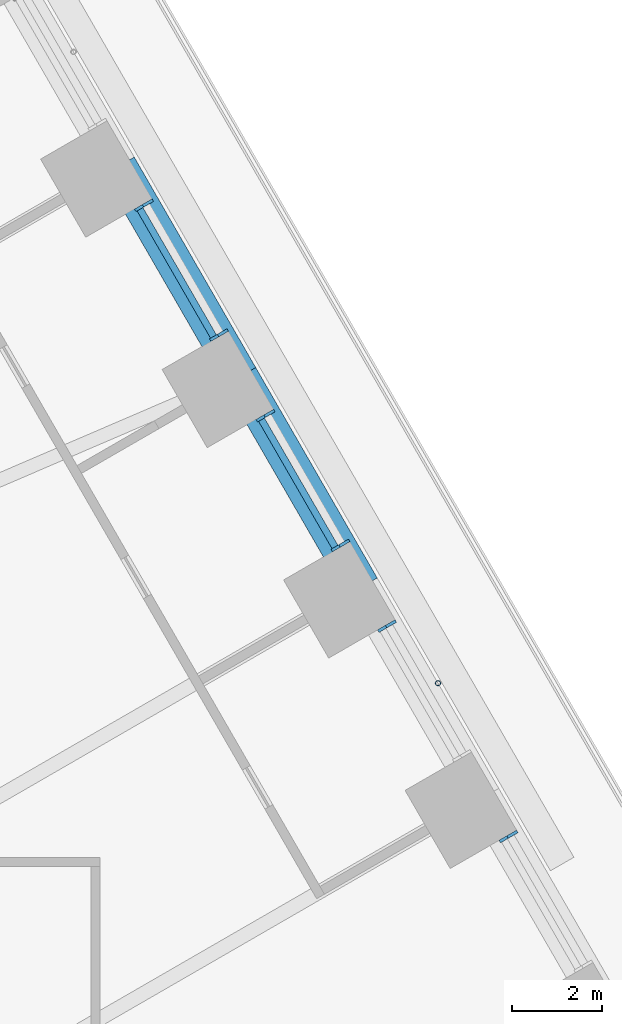
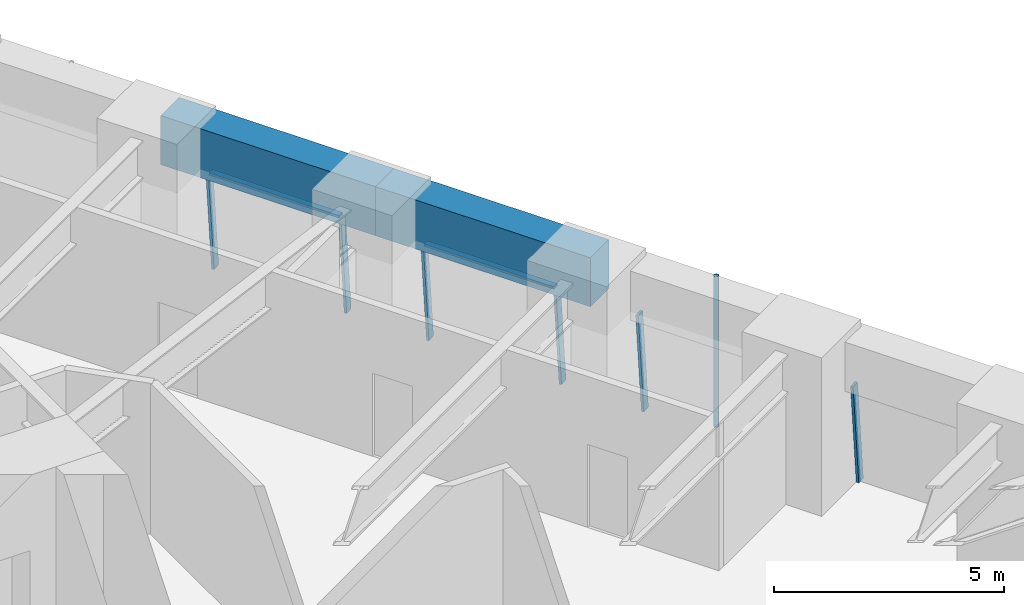
# One storey, part 13 of 24: 9 members, 2 beams, 4 elements without a shape of their own.
"""IFC4 building model written with IfcOpenShell, lengths in metres."""

from ifc_helpers import new_model, si_unit, direction, frame, origin, origin_2d, place, context, subcontext, project, spatial, rectangle, hollow_circle, extrude, material, material_profile, profile_set, type_object, element, aggregate, save


model = new_model("IFC4")

# Units and contexts
model_context = context("Model", 3, precision=1e-05, world=origin(), true_north=direction((0.0, 1.0)))
body_context = subcontext(model_context, "Body", "Model", "MODEL_VIEW")
ifc_project = project(units=[si_unit("LENGTHUNIT", "METRE"), si_unit("AREAUNIT", "SQUARE_METRE"), si_unit("VOLUMEUNIT", "CUBIC_METRE"), si_unit("PLANEANGLEUNIT", "RADIAN"), si_unit("MASSUNIT", "GRAM", prefix="KILO")], contexts=[model_context])

# Site, building, storey
site_placement = place(None, origin())
site = spatial("IfcSite", under=ifc_project, at=site_placement, CompositionType="ELEMENT")
building_placement = place(site_placement, origin())
building = spatial("IfcBuilding", under=site, at=building_placement, Name="Tarfa Lantern Tower", CompositionType="ELEMENT")
storey_placement = place(building_placement, frame((0.0, 0.0, 69.699951171875)))
storey = spatial("IfcBuildingStorey", under=building, at=storey_placement, Name="L15", CompositionType="ELEMENT", Elevation=69.699951171875)

# Curtain wall, member
ifc_material_1 = material(Name="Aluminium framed curtain wall", Category="aluminium")
curtain_wall_type = type_object("IfcCurtainWallType", Name="CW1 CANTED GLAZING LOW ZONE 2700", PredefinedType="USERDEFINED", material=ifc_material_1)
curtain_wall_1_placement = place(storey_placement, origin())
curtain_wall_1 = element("IfcCurtainWall", 1, at=curtain_wall_1_placement, inside=storey, type_object=curtain_wall_type, Name="CW1 NE L15", ObjectType="CURTAIN WALL", PredefinedType="USERDEFINED")
ifc_material_2 = material(Name="Aluminium mullion", Category="aluminium")
ifc_material_profile_1 = material_profile(ifc_material_2, rectangle(XDim=0.06494140625, YDim=0.199951171875, at=origin_2d()), Name="AL MULLION 65x200")
ifc_profile_set_1 = profile_set([ifc_material_profile_1], Name="Aluminium mullion")
member_type_1 = type_object("IfcMemberType", Name="CWM1 MULLION 65x200", PredefinedType="MULLION", material=ifc_profile_set_1)
member_1_placement = place(storey_placement, frame((35.26318359375, 6.722412109375, 0.0), z_axis=(-0.07986442134, -0.046099868913, 0.99573916077), x_axis=(0.499919672301, -0.866071776036, 0.0)))
member_1 = element("IfcMember", 2, at=member_1_placement, type_object=member_type_1, Name="CW1 mullion 2", PredefinedType="MULLION", context=body_context, shape_type="SweptSolid", body=[
    extrude(rectangle(XDim=0.06494140625, YDim=0.199951171875, at=origin_2d()), origin(), (0.0, 0.0, 1.0), 2.71142578125),
])
aggregate(curtain_wall_1, [member_1])

curtain_wall_2_placement = place(storey_placement, origin())
curtain_wall_2 = element("IfcCurtainWall", 3, at=curtain_wall_2_placement, inside=storey, type_object=curtain_wall_type, Name="CW1 NE L15", ObjectType="CURTAIN WALL", PredefinedType="USERDEFINED")
member_2_placement = place(storey_placement, frame((32.56884765625, 11.38916015625, 0.0), z_axis=(-0.07986442134, -0.046099868913, 0.99573916077), x_axis=(0.499919672301, -0.866071776036, 0.0)))
member_2 = element("IfcMember", 4, at=member_2_placement, type_object=member_type_1, Name="CW1 mullion 2", PredefinedType="MULLION", context=body_context, shape_type="SweptSolid", body=[
    extrude(rectangle(XDim=0.06494140625, YDim=0.199951171875, at=origin_2d()), origin(), (0.0, 0.0, 1.0), 2.71142578125),
])
aggregate(curtain_wall_2, [member_2])

# Curtain wall, members
curtain_wall_3_placement = place(storey_placement, origin())
curtain_wall_3 = element("IfcCurtainWall", 5, at=curtain_wall_3_placement, inside=storey, type_object=curtain_wall_type, Name="CW1 NE L15", ObjectType="CURTAIN WALL", PredefinedType="USERDEFINED")
member_3_placement = place(storey_placement, frame((31.536376953125, 13.177490234375, 0.0), z_axis=(-0.07986442134, -0.046099868913, 0.99573916077), x_axis=(0.499919672301, -0.866071776036, 0.0)))
member_3 = element("IfcMember", 6, at=member_3_placement, type_object=member_type_1, Name="CW1 mullion 1", PredefinedType="MULLION", context=body_context, shape_type="SweptSolid", body=[
    extrude(rectangle(XDim=0.06494140625, YDim=0.199951171875, at=origin_2d()), origin(), (0.0, 0.0, 1.0), 2.71142578125),
])
member_4_placement = place(storey_placement, frame((29.87451171875, 16.055908203125, 0.0), z_axis=(-0.07986442134, -0.046099868913, 0.99573916077), x_axis=(0.499919672301, -0.866071776036, 0.0)))
member_4 = element("IfcMember", 7, at=member_4_placement, type_object=member_type_1, Name="CW1 mullion 2", PredefinedType="MULLION", context=body_context, shape_type="SweptSolid", body=[
    extrude(rectangle(XDim=0.06494140625, YDim=0.199951171875, at=origin_2d()), origin(), (0.0, 0.0, 1.0), 2.71142578125),
])

curtain_wall_4_placement = place(storey_placement, origin())
curtain_wall_4 = element("IfcCurtainWall", 8, at=curtain_wall_4_placement, inside=storey, type_object=curtain_wall_type, Name="CW1 NE L15", ObjectType="CURTAIN WALL", PredefinedType="USERDEFINED")
member_5_placement = place(storey_placement, frame((28.842041015625, 17.84423828125, 0.0), z_axis=(-0.07986442134, -0.046099868913, 0.99573916077), x_axis=(0.499919672301, -0.866071776036, 0.0)))
member_5 = element("IfcMember", 9, at=member_5_placement, type_object=member_type_1, Name="CW1 mullion 1", PredefinedType="MULLION", context=body_context, shape_type="SweptSolid", body=[
    extrude(rectangle(XDim=0.06494140625, YDim=0.199951171875, at=origin_2d()), origin(), (0.0, 0.0, 1.0), 2.71142578125),
])
member_6_placement = place(storey_placement, frame((27.18017578125, 20.722412109375, 0.0), z_axis=(-0.07986442134, -0.046099868913, 0.99573916077), x_axis=(0.499919672301, -0.866071776036, 0.0)))
member_6 = element("IfcMember", 10, at=member_6_placement, type_object=member_type_1, Name="CW1 mullion 2", PredefinedType="MULLION", context=body_context, shape_type="SweptSolid", body=[
    extrude(rectangle(XDim=0.06494140625, YDim=0.199951171875, at=origin_2d()), origin(), (0.0, 0.0, 1.0), 2.71142578125),
])

# Member
ifc_material_3 = material(Name="Aluminium transom", Category="aluminium")
ifc_material_profile_2 = material_profile(ifc_material_3, rectangle(XDim=0.14990234375, YDim=0.06494140625, at=origin_2d()), Name="AL TRANSOM 150x65")
ifc_profile_set_2 = profile_set([ifc_material_profile_2], Name="Aluminium transom")
member_type_2 = type_object("IfcMemberType", Name="CWT1 TRANSOM 150x65", PredefinedType="USERDEFINED", material=ifc_profile_set_2)
member_7_placement = place(storey_placement, frame((31.30615234375, 13.082275390625, 2.66748046875), z_axis=(-0.500022939057, 0.866012159509, 0.0), x_axis=(-0.866012159509, -0.500022939057, 0.0)))
member_7 = element("IfcMember", 11, at=member_7_placement, type_object=member_type_2, Name="CW1 transom 1.2", ObjectType="TRANSOM", PredefinedType="USERDEFINED", context=body_context, shape_type="SweptSolid", body=[
    extrude(rectangle(XDim=0.14990234375, YDim=0.06494140625, at=origin_2d()), origin(), (0.0, 0.0, 1.0), 3.258544921875),
])

aggregate(curtain_wall_3, [member_3, member_4, member_7])

member_8_placement = place(storey_placement, frame((28.61181640625, 17.748779296875, 2.66748046875), z_axis=(-0.499966746847, 0.86604460165, 0.0), x_axis=(-0.86604460165, -0.499966746847, 0.0)))
member_8 = element("IfcMember", 12, at=member_8_placement, type_object=member_type_2, Name="CW1 transom 1.2", ObjectType="TRANSOM", PredefinedType="USERDEFINED", context=body_context, shape_type="SweptSolid", body=[
    extrude(rectangle(XDim=0.14990234375, YDim=0.06494140625, at=origin_2d()), origin(), (0.0, 0.0, 1.0), 3.258544921875),
])

aggregate(curtain_wall_4, [member_5, member_6, member_8])

# Beams
ifc_material_4 = material(Name="Concrete C80/95", Category="concrete")
ifc_material_profile_3 = material_profile(ifc_material_4, rectangle(XDim=0.800048828125, YDim=1.300048828125, at=origin_2d()), Name="RC 800x1300")
ifc_profile_set_3 = profile_set([ifc_material_profile_3], Name="Concrete C80/95")
beam_type = type_object("IfcBeamType", Name="EB1 RC 800x1300", PredefinedType="SPANDREL", material=ifc_profile_set_3)
beam_1_placement = place(storey_placement, frame((31.896728515625, 12.193359375, 3.35009765625), z_axis=(-0.499998287579, 0.866026392449, 0.0), x_axis=(-0.866026392449, -0.499998287579, 0.0)))
element("IfcBeam", 13, at=beam_1_placement, inside=storey, type_object=beam_type, Name="Edge beam NE2", PredefinedType="SPANDREL", context=body_context, shape_type="SweptSolid", body=[
    extrude(rectangle(XDim=0.800048828125, YDim=1.300048828125, at=origin_2d()), origin(), (0.0, 0.0, 1.0), 5.388671875),
])
beam_2_placement = place(storey_placement, frame((29.202392578125, 16.860107421875, 3.35009765625), z_axis=(-0.500017906299, 0.866015065331, 0.0), x_axis=(-0.866015065331, -0.500017906299, 0.0)))
element("IfcBeam", 14, at=beam_2_placement, inside=storey, type_object=beam_type, Name="Edge beam NE3", PredefinedType="SPANDREL", context=body_context, shape_type="SweptSolid", body=[
    extrude(rectangle(XDim=0.800048828125, YDim=1.300048828125, at=origin_2d()), origin(), (0.0, 0.0, 1.0), 5.388427734375),
])

# Member
ifc_material_5 = material(Name="Steel S355", Category="steel")
ifc_material_profile_4 = material_profile(ifc_material_5, hollow_circle(Radius=0.05712890625, WallThickness=0.00634765625, at=origin_2d()), Name="CHS114.3x6.3")
ifc_profile_set_4 = profile_set([ifc_material_profile_4], Name="Steel S355")
member_type_3 = type_object("IfcMemberType", Name="TR1 GREEN WALL TRELLIS CHS114.3x6.3", PredefinedType="USERDEFINED", material=ifc_profile_set_4)
member_9_placement = place(storey_placement, frame((33.59033203125, 10.06005859375, 0.0), z_axis=(0.0, 0.0, 1.0), x_axis=(1.0, 0.0, 0.0)))
element("IfcMember", 15, at=member_9_placement, inside=storey, type_object=member_type_3, Name="Trellis post NE 1", ObjectType="TRELLIS", PredefinedType="USERDEFINED", context=body_context, shape_type="SweptSolid", body=[
    extrude(hollow_circle(Radius=0.05712890625, WallThickness=0.00634765625, at=origin_2d()), origin(), (0.0, 0.0, 1.0), 4.0),
])

save(model, "model.ifc")
